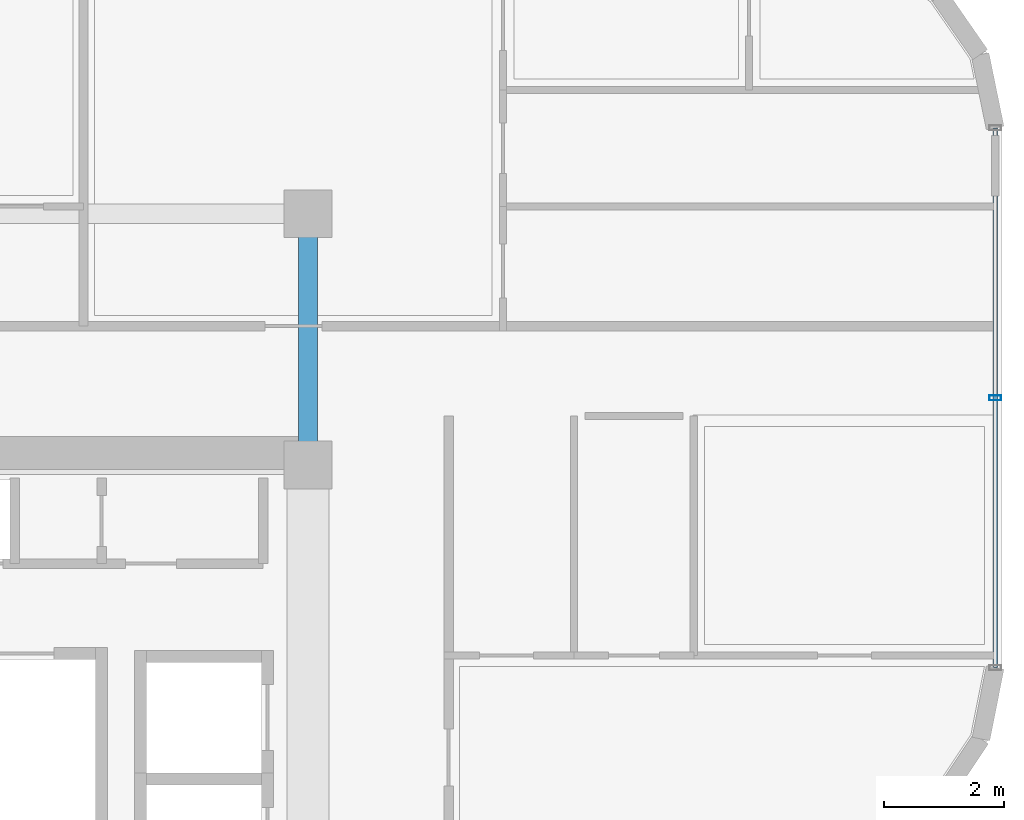
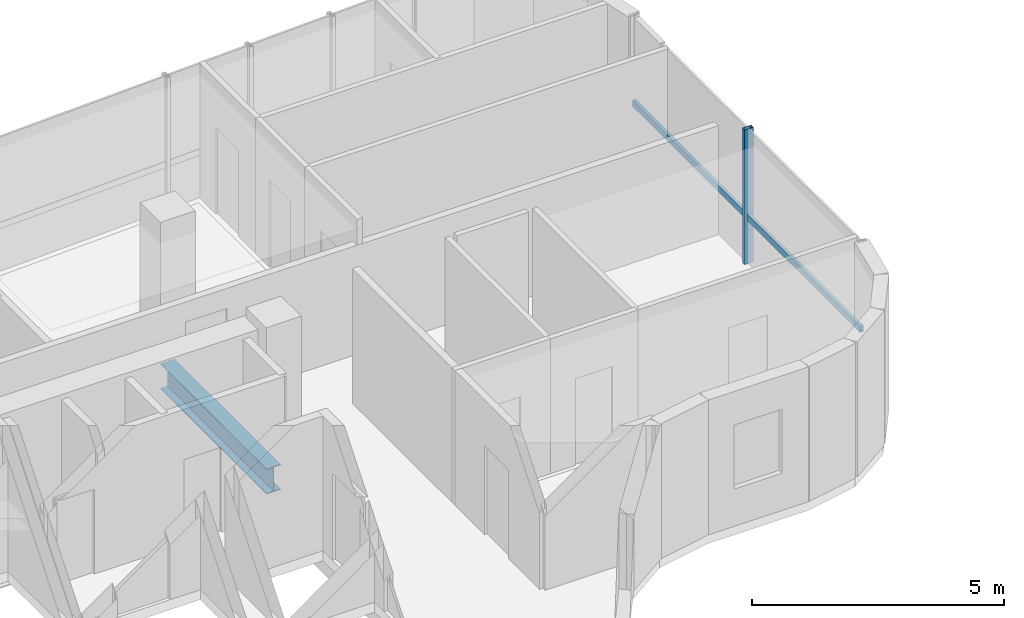
# One storey, part 9 of 19: 2 members, 1 beam, 1 element without a shape of its own.
"""IFC4 building model written with IfcOpenShell, lengths in metres."""

from ifc_helpers import new_model, si_unit, direction, frame, origin, origin_2d, place, context, subcontext, project, spatial, hollow_rectangle, i_section, extrude, source, transform, mapped, material, material_profile, profile_set, type_object, element, aggregate, save


model = new_model("IFC4")

# Units and contexts
model_context = context("Model", 3, precision=1e-05, world=origin(), true_north=direction((0.0, 1.0)))
body_context = subcontext(model_context, "Body", "Model", "MODEL_VIEW")
ifc_project = project(units=[si_unit("LENGTHUNIT", "METRE"), si_unit("AREAUNIT", "SQUARE_METRE"), si_unit("VOLUMEUNIT", "CUBIC_METRE"), si_unit("PLANEANGLEUNIT", "RADIAN"), si_unit("MASSUNIT", "GRAM", prefix="KILO")], contexts=[model_context])

# Site, building, storey
site_placement = place(None, origin())
site = spatial("IfcSite", under=ifc_project, at=site_placement, CompositionType="ELEMENT")
building_placement = place(site_placement, origin())
building = spatial("IfcBuilding", under=site, at=building_placement, Name="Valdorenza Pilgrim Sanctuary Tower", CompositionType="ELEMENT")
storey_placement = place(building_placement, frame((0.0, 0.0, 269.5)))
storey = spatial("IfcBuildingStorey", under=building, at=storey_placement, Name="L70", CompositionType="ELEMENT", Elevation=269.5)

# Beam
ifc_material_1 = material(Name="Steel ASTM A992 Grade 50", Category="steel")
ifc_material_profile_1 = material_profile(ifc_material_1, i_section(OverallWidth=0.323974609375, OverallDepth=0.611083984375, WebThickness=0.0126953125, FlangeThickness=0.01904296875, at=origin_2d()), Name="W24X104")
ifc_profile_set_1 = profile_set([ifc_material_profile_1], Name="Steel ASTM A992 Grade 50")
beam_type = type_object("IfcBeamType", Name="STR-BM-GRD-W24B", PredefinedType="BEAM", material=ifc_profile_set_1)
shared_shape_1 = source(origin(), body_context, "Body", "SweptSolid", [
    extrude(i_section(OverallWidth=0.323974609375, OverallDepth=0.611083984375, WebThickness=0.0126953125, FlangeThickness=0.01904296875, at=origin_2d()), origin(), (0.0, 0.0, 1.0), 4.199951171875),
])
beam_placement = place(storey_placement, frame((-12.39990234375, 10.60009765625, -0.54541015625), z_axis=(0.0, 1.0, 0.0), x_axis=(-1.0, 0.0, 0.0)))
element("IfcBeam", 1, at=beam_placement, inside=storey, type_object=beam_type, Name="L70 Core Tie Girder CA-E-N1N2", PredefinedType="BEAM", context=body_context, shape_type="MappedRepresentation", body=[
    mapped(shared_shape_1, transform((0.0, 0.0, 0.0), x_axis=(1.0, 0.0, 0.0), y_axis=(0.0, 1.0, 0.0), z_axis=(0.0, 0.0, 1.0), scale=1.0)),
])

# Curtain wall, members
ifc_material_2 = material(Name="Curtain-wall IGU glazing", Category="glass")
curtain_wall_type = type_object("IfcCurtainWallType", Name="CW-SYS-02", PredefinedType="NOTDEFINED", material=ifc_material_2)
curtain_wall_placement = place(storey_placement, origin())
curtain_wall = element("IfcCurtainWall", 2, at=curtain_wall_placement, inside=storey, type_object=curtain_wall_type, Name="L70 Curtain Wall CW-L70-1-11", PredefinedType="NOTDEFINED")
ifc_material_3 = material(Name="Anodised aluminium AW-6060", Category="aluminium")
ifc_material_profile_2 = material_profile(ifc_material_3, hollow_rectangle(XDim=0.0849609375, YDim=0.199951171875, WallThickness=0.0048828125, at=origin_2d()), Name="ALU-M 200x85x5")
ifc_profile_set_2 = profile_set([ifc_material_profile_2], Name="Anodised aluminium AW-6060")
member_type_1 = type_object("IfcMemberType", Name="CW-MUL-02", PredefinedType="MULLION", material=ifc_profile_set_2)
shared_shape_2 = source(origin(), body_context, "Body", "SweptSolid", [
    extrude(hollow_rectangle(XDim=0.0849609375, YDim=0.199951171875, WallThickness=0.0048828125, at=origin_2d()), origin(), (0.0, 0.0, 1.0), 3.260009765625),
])
member_1_placement = place(storey_placement, frame((-0.909912109375, 11.72265625, 0.0), z_axis=(0.0, 0.0, 1.0), x_axis=(0.0, -1.0, 0.0)))
member_1 = element("IfcMember", 3, at=member_1_placement, type_object=member_type_1, Name="CW-L70-1-11 Mullion 2", PredefinedType="MULLION", context=body_context, shape_type="MappedRepresentation", body=[
    mapped(shared_shape_2, transform((0.0, 0.0, 0.0), x_axis=(1.0, 0.0, 0.0), y_axis=(0.0, 1.0, 0.0), z_axis=(0.0, 0.0, 1.0), scale=1.0)),
])
ifc_material_profile_3 = material_profile(ifc_material_3, hollow_rectangle(XDim=0.074951171875, YDim=0.14990234375, WallThickness=0.00390625, at=origin_2d()), Name="ALU-T 150x75x4")
ifc_profile_set_3 = profile_set([ifc_material_profile_3], Name="Anodised aluminium AW-6060")
member_type_2 = type_object("IfcMemberType", Name="CW-TRN-02", PredefinedType="USERDEFINED", material=ifc_profile_set_3)
shared_shape_3 = source(origin(), body_context, "Body", "SweptSolid", [
    extrude(hollow_rectangle(XDim=0.074951171875, YDim=0.14990234375, WallThickness=0.00390625, at=origin_2d()), origin(), (0.0, 0.0, 1.0), 9.023681640625),
])
member_2_placement = place(storey_placement, frame((-0.909912109375, 16.234375, 1.1201171875), z_axis=(0.0, -1.0, 0.0), x_axis=(1.0, 0.0, 0.0)))
member_2 = element("IfcMember", 4, at=member_2_placement, type_object=member_type_2, Name="CW-L70-1-11 Transom 1", ObjectType="TRANSOM", PredefinedType="USERDEFINED", context=body_context, shape_type="MappedRepresentation", body=[
    mapped(shared_shape_3, transform((0.0, 0.0, 0.0), x_axis=(1.0, 0.0, 0.0), y_axis=(0.0, 1.0, 0.0), z_axis=(0.0, 0.0, 1.0), scale=1.0)),
])
aggregate(curtain_wall, [member_1, member_2])

save(model, "model.ifc")
